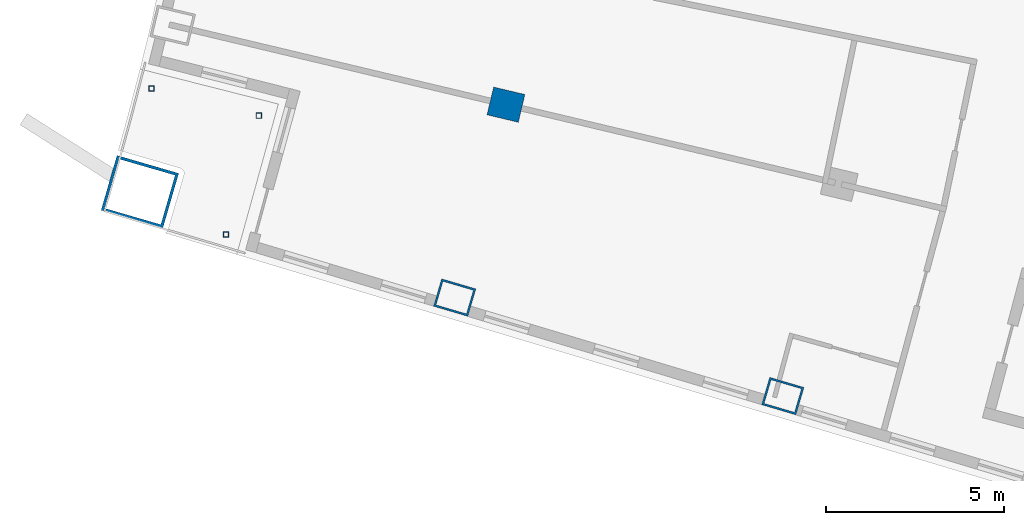
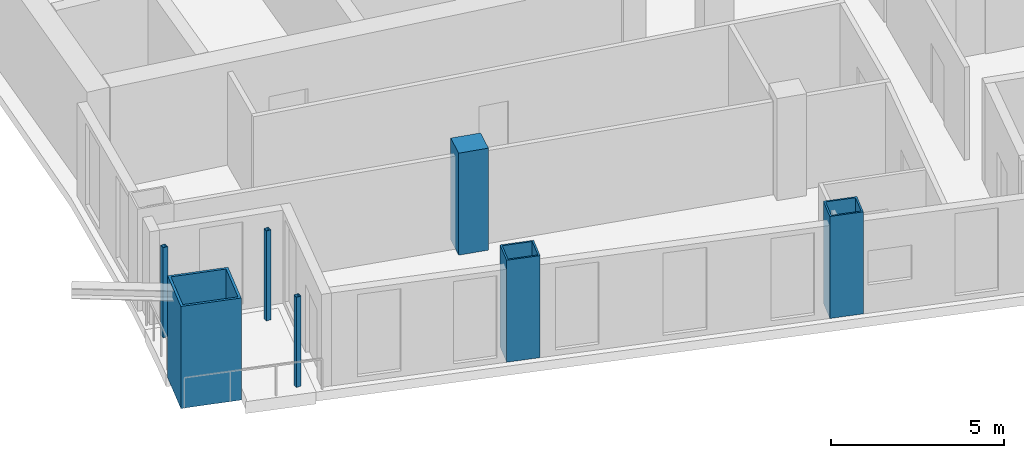
# One storey, part 1 of 19: 7 columns.
"""IFC4 building model written with IfcOpenShell, lengths in metres."""

from ifc_helpers import new_model, si_unit, direction, frame, origin, origin_2d, place, context, subcontext, project, spatial, rectangle, hollow_rectangle, extrude, material, material_profile, profile_set, type_object, element, save


model = new_model("IFC4")

# Units and contexts
model_context = context("Model", 3, precision=1e-05, world=origin(), true_north=direction((0.0, 1.0)))
body_context = subcontext(model_context, "Body", "Model", "MODEL_VIEW")
ifc_project = project(units=[si_unit("LENGTHUNIT", "METRE"), si_unit("AREAUNIT", "SQUARE_METRE"), si_unit("VOLUMEUNIT", "CUBIC_METRE"), si_unit("PLANEANGLEUNIT", "RADIAN"), si_unit("MASSUNIT", "GRAM", prefix="KILO")], contexts=[model_context])

# Site, building, storey
site_placement = place(None, origin())
site = spatial("IfcSite", under=ifc_project, at=site_placement, CompositionType="ELEMENT")
building_placement = place(site_placement, origin())
building = spatial("IfcBuilding", under=site, at=building_placement, Name="Alderwake Tower", CompositionType="ELEMENT")
storey_placement = place(building_placement, frame((0.0, 0.0, 174.800048828125)))
storey = spatial("IfcBuildingStorey", under=building, at=storey_placement, Name="L43", CompositionType="ELEMENT", Elevation=174.800048828125)

# Columns
ifc_material_1 = material(Name="Steel ASTM A572 Grade 50 concrete filled C70/85", Category="concrete")
ifc_material_profile_1 = material_profile(ifc_material_1, hollow_rectangle(XDim=0.800048828125, YDim=1.0, WallThickness=0.054931640625, at=origin_2d()), Name="BOX 1000X800X55")
ifc_profile_set_1 = profile_set([ifc_material_profile_1], Name="Steel ASTM A572 Grade 50 concrete filled C70/85")
column_type_1 = type_object("IfcColumnType", Name="End column Z3", PredefinedType="COLUMN", material=ifc_profile_set_1)
for number, where, z_axis, x_axis, name in (
    (1, (21.885498046875, 31.03759765625, 0.0), (0.0, 0.0, 1.0), (0.282132160283, 0.95937554906, 0.0), "Column R02-C1"),
    (2, (31.080322265625, 28.27685546875, 0.0), (0.0, 0.0, 1.0), (0.282582549822, 0.959242984095, 0.0), "Column R02-C2"),
):
    element("IfcColumn", number, at=place(storey_placement, frame(where, z_axis=z_axis, x_axis=x_axis)), inside=storey, type_object=column_type_1, Name=name, PredefinedType="COLUMN", context=body_context, shape_type="SweptSolid", body=[
        extrude(hollow_rectangle(XDim=0.800048828125, YDim=1.0, WallThickness=0.054931640625, at=origin_2d()), origin(), (0.0, 0.0, 1.0), 3.599853515625),
    ])
ifc_material_2 = material(Name="Concrete C70/85", Category="concrete")
ifc_material_profile_2 = material_profile(ifc_material_2, rectangle(XDim=0.800048828125, YDim=0.89990234375, at=origin_2d()), Name="RC 900X800")
ifc_profile_set_2 = profile_set([ifc_material_profile_2], Name="Concrete C70/85")
column_type_2 = type_object("IfcColumnType", Name="Interior column Z3", PredefinedType="COLUMN", material=ifc_profile_set_2)
column_1_placement = place(storey_placement, frame((23.322021484375, 36.444091796875, 0.0), z_axis=(0.0, 0.0, 1.0), x_axis=(0.231221547198, 0.972901123502, 0.0)))
element("IfcColumn", 3, at=column_1_placement, inside=storey, type_object=column_type_2, Name="Column R03-C1", PredefinedType="COLUMN", context=body_context, shape_type="SweptSolid", body=[
    extrude(rectangle(XDim=0.800048828125, YDim=0.89990234375, at=origin_2d()), origin(), (0.0, 0.0, 1.0), 3.599853515625),
])
ifc_material_3 = material(Name="Steel ASTM A500 Grade C", Category="steel")
ifc_material_profile_3 = material_profile(ifc_material_3, hollow_rectangle(XDim=0.15234375, YDim=0.15234375, WallThickness=0.0087890625, at=origin_2d()), Name="HSS6X6X3/8")
ifc_profile_set_3 = profile_set([ifc_material_profile_3], Name="Steel ASTM A500 Grade C")
column_type_3 = type_object("IfcColumnType", Name="Light post HSS6X6X3/8", PredefinedType="COLUMN", material=ifc_profile_set_3)
for number, where, z_axis, x_axis, name in (
    (4, (13.3896484375, 36.896484375, 0.0), (0.0, 0.0, 1.0), (1.0, 0.0, 0.0), "Terrace post RS1"),
    (5, (15.47412109375, 32.805908203125, 0.0), (0.0, 0.0, 1.0), (1.0, 0.0, 0.0), "Terrace post RS2"),
    (6, (16.39501953125, 36.135986328125, 0.0), (0.0, 0.0, 1.0), (1.0, 0.0, 0.0), "Terrace post RS3"),
):
    element("IfcColumn", number, at=place(storey_placement, frame(where, z_axis=z_axis, x_axis=x_axis)), inside=storey, type_object=column_type_3, Name=name, PredefinedType="COLUMN", context=body_context, shape_type="SweptSolid", body=[
        extrude(hollow_rectangle(XDim=0.15234375, YDim=0.15234375, WallThickness=0.0087890625, at=origin_2d()), origin(), (0.0, 0.0, 1.0), 3.179931640625),
    ])
ifc_material_4 = material(Name="Steel ASTM A572 Grade 50 concrete filled C70/85", Category="concrete")
ifc_material_profile_4 = material_profile(ifc_material_4, hollow_rectangle(XDim=1.60009765625, YDim=1.800048828125, WallThickness=0.080078125, at=origin_2d()), Name="BOX 1800X1600X80")
ifc_profile_set_4 = profile_set([ifc_material_profile_4], Name="Steel ASTM A572 Grade 50 concrete filled C70/85")
column_type_4 = type_object("IfcColumnType", Name="Mega column Z3", PredefinedType="COLUMN", material=ifc_profile_set_4)
column_2_placement = place(storey_placement, frame((13.06298828125, 34.00244140625, 0.0), z_axis=(0.0, 0.0, 1.0), x_axis=(0.278612301868, 0.960403657452, 0.0)))
element("IfcColumn", 7, at=column_2_placement, inside=storey, type_object=column_type_4, Name="Column R02-C0", PredefinedType="COLUMN", context=body_context, shape_type="SweptSolid", body=[
    extrude(hollow_rectangle(XDim=1.60009765625, YDim=1.800048828125, WallThickness=0.080078125, at=origin_2d()), origin(), (0.0, 0.0, 1.0), 3.599853515625),
])

save(model, "model.ifc")
